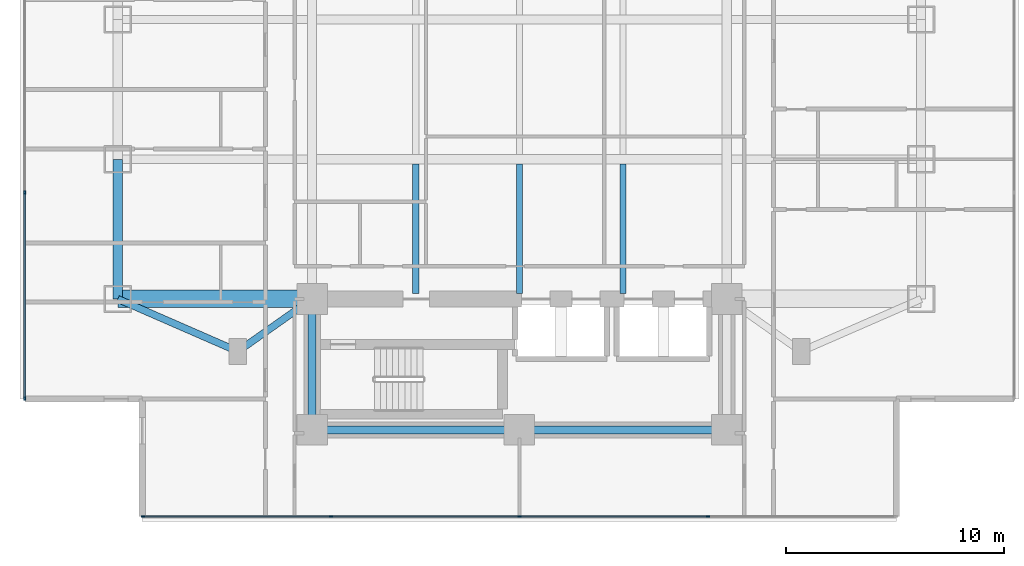
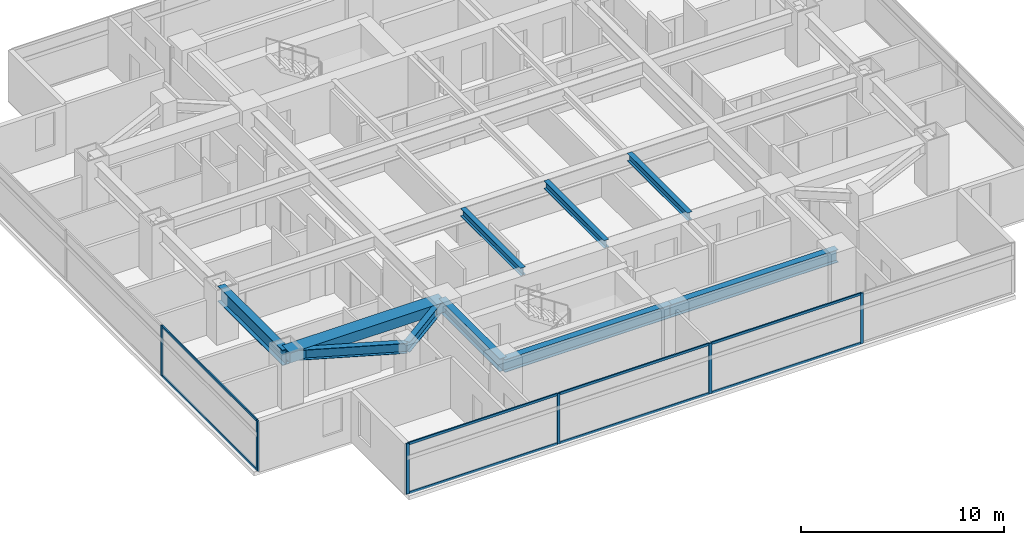
# One storey, part 2 of 27: 14 members, 10 beams, 2 elements without a shape of their own.
"""IFC4 building model written with IfcOpenShell, lengths in metres."""

from ifc_helpers import new_model, si_unit, direction, frame, origin, origin_2d, place, context, subcontext, project, spatial, rectangle, i_section, extrude, material, material_profile, profile_set, type_object, element, aggregate, save


model = new_model("IFC4")

# Units and contexts
model_context = context("Model", 3, precision=1e-05, world=origin(), true_north=direction((0.0, 1.0)))
body_context = subcontext(model_context, "Body", "Model", "MODEL_VIEW")
ifc_project = project(units=[si_unit("LENGTHUNIT", "METRE"), si_unit("AREAUNIT", "SQUARE_METRE"), si_unit("VOLUMEUNIT", "CUBIC_METRE"), si_unit("PLANEANGLEUNIT", "RADIAN"), si_unit("MASSUNIT", "GRAM", prefix="KILO")], contexts=[model_context])

# Site, building, storey
site_placement = place(None, origin())
site = spatial("IfcSite", under=ifc_project, at=site_placement, CompositionType="ELEMENT")
building_placement = place(site_placement, origin())
building = spatial("IfcBuilding", under=site, at=building_placement, Name="Mirazonda Arch Towers", CompositionType="ELEMENT")
storey_placement = place(building_placement, frame((0.0, 0.0, 42.199951171875)))
storey = spatial("IfcBuildingStorey", under=building, at=storey_placement, Name="L11", CompositionType="ELEMENT", Elevation=42.199951171875)

# Beams
ifc_material_1 = material(Name="Steel ASTM A992 Grade 50", Category="steel")
ifc_material_profile_1 = material_profile(ifc_material_1, i_section(OverallWidth=0.41796875, OverallDepth=0.927001953125, WebThickness=0.019287109375, FlangeThickness=0.031982421875, at=origin_2d()), Name="W36X231")
ifc_profile_set_1 = profile_set([ifc_material_profile_1], Name="Steel ASTM A992 Grade 50")
beam_type_1 = type_object("IfcBeamType", Name="BM-EXT-W36X231", PredefinedType="USERDEFINED", material=ifc_profile_set_1)
beam_1_placement = place(storey_placement, frame((2.10009765625, 18.39990234375, 2.596435546875), z_axis=(0.0, 1.0, 0.0), x_axis=(-1.0, 0.0, 0.0)))
element("IfcBeam", 1, at=beam_1_placement, inside=storey, type_object=beam_type_1, Name="L11 Floor Beam BM-T1-L11-NS-W-18", ObjectType="GIRDER", PredefinedType="USERDEFINED", context=body_context, shape_type="SweptSolid", body=[
    extrude(i_section(OverallWidth=0.41796875, OverallDepth=0.927001953125, WebThickness=0.019287109375, FlangeThickness=0.031982421875, at=origin_2d()), origin(), (0.0, 0.0, 1.0), 6.400146484375),
])
ifc_material_profile_2 = material_profile(ifc_material_1, i_section(OverallWidth=0.280029296875, OverallDepth=0.462890625, WebThickness=0.0107421875, FlangeThickness=0.017333984375, at=origin_2d()), Name="W18X76")
ifc_profile_set_2 = profile_set([ifc_material_profile_2], Name="Steel ASTM A992 Grade 50")
beam_type_2 = type_object("IfcBeamType", Name="BM-INT-W18X76", PredefinedType="JOIST", material=ifc_profile_set_2)
for number, where, z_axis, x_axis, name in (
    (2, (15.75, 18.639892578125, 2.82861328125), (0.0, 1.0, 0.0), (-1.0, 0.0, 0.0), "L11 Floor Beam BM-T1-L11-J-157-18"),
    (3, (20.5, 18.639892578125, 2.82861328125), (0.0, 1.0, 0.0), (-1.0, 0.0, 0.0), "L11 Floor Beam BM-T1-L11-J-205-18"),
    (4, (25.25, 18.639892578125, 2.82861328125), (0.0, 1.0, 0.0), (-1.0, 0.0, 0.0), "L11 Floor Beam BM-T1-L11-J-252-18"),
):
    element("IfcBeam", number, at=place(storey_placement, frame(where, z_axis=z_axis, x_axis=x_axis)), inside=storey, type_object=beam_type_2, Name=name, PredefinedType="JOIST", context=body_context, shape_type="SweptSolid", body=[
        extrude(i_section(OverallWidth=0.280029296875, OverallDepth=0.462890625, WebThickness=0.0107421875, FlangeThickness=0.017333984375, at=origin_2d()), origin(), (0.0, 0.0, 1.0), 5.95263671875),
    ])
ifc_material_profile_3 = material_profile(ifc_material_1, i_section(OverallWidth=0.324951171875, OverallDepth=0.615966796875, WebThickness=0.013916015625, FlangeThickness=0.021484375, at=origin_2d()), Name="W24X117")
ifc_profile_set_3 = profile_set([ifc_material_profile_3], Name="Steel ASTM A992 Grade 50")
beam_type_3 = type_object("IfcBeamType", Name="BM-INT-W24X117", PredefinedType="BEAM", material=ifc_profile_set_3)
beam_2_placement = place(storey_placement, frame((7.60009765625, 16.0, 2.751953125), z_axis=(0.816971114901, 0.576678591087, 0.0), x_axis=(-0.576678591087, 0.816971114901, 0.0)))
element("IfcBeam", 5, at=beam_2_placement, inside=storey, type_object=beam_type_3, Name="L11 Floor Beam BM-T1-L11-PL-SW1", PredefinedType="BEAM", context=body_context, shape_type="SweptSolid", body=[
    extrude(i_section(OverallWidth=0.324951171875, OverallDepth=0.615966796875, WebThickness=0.013916015625, FlangeThickness=0.021484375, at=origin_2d()), origin(), (0.0, 0.0, 1.0), 4.16162109375),
])
beam_3_placement = place(storey_placement, frame((7.60009765625, 16.0, 2.751953125), z_axis=(-0.916545343703, 0.399930785183, 0.0), x_axis=(-0.399930785183, -0.916545343703, 0.0)))
element("IfcBeam", 6, at=beam_3_placement, inside=storey, type_object=beam_type_3, Name="L11 Floor Beam BM-T1-L11-PL-SW2", PredefinedType="BEAM", context=body_context, shape_type="SweptSolid", body=[
    extrude(i_section(OverallWidth=0.324951171875, OverallDepth=0.615966796875, WebThickness=0.013916015625, FlangeThickness=0.021484375, at=origin_2d()), origin(), (0.0, 0.0, 1.0), 6.000732421875),
])
ifc_material_profile_4 = material_profile(ifc_material_1, i_section(OverallWidth=0.381103515625, OverallDepth=0.77294921875, WebThickness=0.0166015625, FlangeThickness=0.027099609375, at=origin_2d()), Name="W30X173")
ifc_profile_set_4 = profile_set([ifc_material_profile_4], Name="Steel ASTM A992 Grade 50")
beam_type_4 = type_object("IfcBeamType", Name="BM-INT-W30X173", PredefinedType="USERDEFINED", material=ifc_profile_set_4)
for number, where, z_axis, x_axis, name in (
    (7, (11.0, 12.39990234375, 2.673583984375), (1.0, 0.0, 0.0), (0.0, 1.0, 0.0), "L11 Floor Beam BM-T1-L11-CS1"),
    (8, (20.5, 12.39990234375, 2.673583984375), (1.0, 0.0, 0.0), (0.0, 1.0, 0.0), "L11 Floor Beam BM-T1-L11-CS2"),
):
    element("IfcBeam", number, at=place(storey_placement, frame(where, z_axis=z_axis, x_axis=x_axis)), inside=storey, type_object=beam_type_4, Name=name, ObjectType="GIRDER", PredefinedType="USERDEFINED", context=body_context, shape_type="SweptSolid", body=[
        extrude(i_section(OverallWidth=0.381103515625, OverallDepth=0.77294921875, WebThickness=0.0166015625, FlangeThickness=0.027099609375, at=origin_2d()), origin(), (0.0, 0.0, 1.0), 9.5),
    ])
beam_4_placement = place(storey_placement, frame((11.0, 12.39990234375, 2.673583984375), z_axis=(0.0, 1.0, 0.0), x_axis=(-1.0, 0.0, 0.0)))
element("IfcBeam", 9, at=beam_4_placement, inside=storey, type_object=beam_type_4, Name="L11 Floor Beam BM-T1-L11-CSW", ObjectType="GIRDER", PredefinedType="USERDEFINED", context=body_context, shape_type="SweptSolid", body=[
    extrude(i_section(OverallWidth=0.381103515625, OverallDepth=0.77294921875, WebThickness=0.0166015625, FlangeThickness=0.027099609375, at=origin_2d()), origin(), (0.0, 0.0, 1.0), 6.0),
])
ifc_material_2 = material(Name="Concrete C60/75", Category="concrete")
ifc_material_profile_5 = material_profile(ifc_material_2, rectangle(XDim=0.800048828125, YDim=0.60009765625, at=origin_2d()), Name="RCCB800x600")
ifc_profile_set_5 = profile_set([ifc_material_profile_5], Name="Concrete C60/75")
beam_type_5 = type_object("IfcBeamType", Name="CB-INT-RCCB800x600", PredefinedType="SPANDREL", material=ifc_profile_set_5)
beam_5_placement = place(storey_placement, frame((2.10009765625, 18.39990234375, 2.760009765625), z_axis=(1.0, 0.0, 0.0), x_axis=(0.0, 1.0, 0.0)))
element("IfcBeam", 10, at=beam_5_placement, inside=storey, type_object=beam_type_5, Name="L11 Floor Beam CBC-T1-L11-SW", PredefinedType="SPANDREL", context=body_context, shape_type="SweptSolid", body=[
    extrude(rectangle(XDim=0.800048828125, YDim=0.60009765625, at=origin_2d()), origin(), (0.0, 0.0, 1.0), 8.89990234375),
])

# Curtain wall, members
ifc_material_3 = material(Name="Anodised Aluminium and Low-E Glass", Category="aluminium")
curtain_wall_type = type_object("IfcCurtainWallType", Name="CW-HTL-UNIT", PredefinedType="NOTDEFINED", material=ifc_material_3)
curtain_wall_1_placement = place(storey_placement, origin())
curtain_wall_1 = element("IfcCurtainWall", 11, at=curtain_wall_1_placement, inside=storey, type_object=curtain_wall_type, Name="L11 T1 S Facade CW-L11-T1-S", PredefinedType="NOTDEFINED")
ifc_material_4 = material(Name="Anodised Aluminium Alloy", Category="aluminium")
ifc_material_profile_6 = material_profile(ifc_material_4, rectangle(XDim=0.074951171875, YDim=0.1650390625, at=origin_2d()), Name="ALU-MULL-75x165")
ifc_profile_set_6 = profile_set([ifc_material_profile_6], Name="Anodised Aluminium Alloy")
member_type_1 = type_object("IfcMemberType", Name="MULL-CW-HTL-UNIT", PredefinedType="MULLION", material=ifc_profile_set_6)
member_1_placement = place(storey_placement, frame((29.139892578125, 8.431884765625, 0.0), z_axis=(0.0, 0.0, 1.0), x_axis=(0.0, -1.0, 0.0)))
member_1 = element("IfcMember", 12, at=member_1_placement, type_object=member_type_1, Name="CW-112 mullion 2", PredefinedType="MULLION", context=body_context, shape_type="SweptSolid", body=[
    extrude(rectangle(XDim=0.074951171875, YDim=0.1650390625, at=origin_2d()), origin(), (0.0, 0.0, 1.0), 3.0400390625),
])
member_2_placement = place(storey_placement, frame((20.5, 8.431884765625, 0.0), z_axis=(0.0, 0.0, 1.0), x_axis=(0.0, -1.0, 0.0)))
member_2 = element("IfcMember", 13, at=member_2_placement, type_object=member_type_1, Name="CW-112 mullion 3", PredefinedType="MULLION", context=body_context, shape_type="SweptSolid", body=[
    extrude(rectangle(XDim=0.074951171875, YDim=0.1650390625, at=origin_2d()), origin(), (0.0, 0.0, 1.0), 3.0400390625),
])
member_3_placement = place(storey_placement, frame((11.860107421875, 8.431884765625, 0.0), z_axis=(0.0, 0.0, 1.0), x_axis=(0.0, -1.0, 0.0)))
member_3 = element("IfcMember", 14, at=member_3_placement, type_object=member_type_1, Name="CW-112 mullion 4", PredefinedType="MULLION", context=body_context, shape_type="SweptSolid", body=[
    extrude(rectangle(XDim=0.074951171875, YDim=0.1650390625, at=origin_2d()), origin(), (0.0, 0.0, 1.0), 3.0400390625),
])
member_4_placement = place(storey_placement, frame((3.257568359375, 8.431884765625, 0.0), z_axis=(0.0, 0.0, 1.0), x_axis=(0.0, -1.0, 0.0)))
member_4 = element("IfcMember", 15, at=member_4_placement, type_object=member_type_1, Name="CW-112 mullion 5", PredefinedType="MULLION", context=body_context, shape_type="SweptSolid", body=[
    extrude(rectangle(XDim=0.074951171875, YDim=0.1650390625, at=origin_2d()), origin(), (0.0, 0.0, 1.0), 3.0400390625),
])

curtain_wall_2_placement = place(storey_placement, origin())
curtain_wall_2 = element("IfcCurtainWall", 16, at=curtain_wall_2_placement, inside=storey, type_object=curtain_wall_type, Name="L11 T1 W Facade CW-L11-T1-W", PredefinedType="NOTDEFINED")
member_5_placement = place(storey_placement, frame((-2.159912109375, 23.270751953125, 0.0), z_axis=(0.0, 0.0, 1.0), x_axis=(1.0, 0.0, 0.0)))
member_5 = element("IfcMember", 17, at=member_5_placement, type_object=member_type_1, Name="CW-112 mullion 3", PredefinedType="MULLION", context=body_context, shape_type="SweptSolid", body=[
    extrude(rectangle(XDim=0.074951171875, YDim=0.1650390625, at=origin_2d()), origin(), (0.0, 0.0, 1.0), 3.0400390625),
])
member_6_placement = place(storey_placement, frame((-2.159912109375, 13.849609375, 0.0), z_axis=(0.0, 0.0, 1.0), x_axis=(1.0, 0.0, 0.0)))
member_6 = element("IfcMember", 18, at=member_6_placement, type_object=member_type_1, Name="CW-112 mullion 4", PredefinedType="MULLION", context=body_context, shape_type="SweptSolid", body=[
    extrude(rectangle(XDim=0.074951171875, YDim=0.1650390625, at=origin_2d()), origin(), (0.0, 0.0, 1.0), 3.0400390625),
])

# Member
ifc_material_profile_7 = material_profile(ifc_material_4, rectangle(XDim=0.074951171875, YDim=0.14501953125, at=origin_2d()), Name="ALU-TRAN-75x145")
ifc_profile_set_7 = profile_set([ifc_material_profile_7], Name="Anodised Aluminium Alloy")
member_type_2 = type_object("IfcMemberType", Name="TRAN-CW-HTL-UNIT", PredefinedType="USERDEFINED", material=ifc_profile_set_7)
member_7_placement = place(storey_placement, frame((29.1025390625, 8.431884765625, 0.03759765625), z_axis=(-1.0, 0.0, 0.0), x_axis=(0.0, -1.0, 0.0)))
member_7 = element("IfcMember", 19, at=member_7_placement, type_object=member_type_2, Name="CW-112 transom 2.1", ObjectType="TRANSOM", PredefinedType="USERDEFINED", context=body_context, shape_type="SweptSolid", body=[
    extrude(rectangle(XDim=0.074951171875, YDim=0.14501953125, at=origin_2d()), origin(), (0.0, 0.0, 1.0), 8.56494140625),
])

member_8_placement = place(storey_placement, frame((29.1025390625, 8.431884765625, 3.00244140625), z_axis=(-1.0, 0.0, 0.0), x_axis=(0.0, -1.0, 0.0)))
member_8 = element("IfcMember", 20, at=member_8_placement, type_object=member_type_2, Name="CW-112 transom 2.2", ObjectType="TRANSOM", PredefinedType="USERDEFINED", context=body_context, shape_type="SweptSolid", body=[
    extrude(rectangle(XDim=0.074951171875, YDim=0.14501953125, at=origin_2d()), origin(), (0.0, 0.0, 1.0), 8.56494140625),
])

member_9_placement = place(storey_placement, frame((20.46240234375, 8.431884765625, 0.03759765625), z_axis=(-1.0, 0.0, 0.0), x_axis=(0.0, -1.0, 0.0)))
member_9 = element("IfcMember", 21, at=member_9_placement, type_object=member_type_2, Name="CW-112 transom 3.1", ObjectType="TRANSOM", PredefinedType="USERDEFINED", context=body_context, shape_type="SweptSolid", body=[
    extrude(rectangle(XDim=0.074951171875, YDim=0.14501953125, at=origin_2d()), origin(), (0.0, 0.0, 1.0), 8.56494140625),
])

member_10_placement = place(storey_placement, frame((20.46240234375, 8.431884765625, 3.00244140625), z_axis=(-1.0, 0.0, 0.0), x_axis=(0.0, -1.0, 0.0)))
member_10 = element("IfcMember", 22, at=member_10_placement, type_object=member_type_2, Name="CW-112 transom 3.2", ObjectType="TRANSOM", PredefinedType="USERDEFINED", context=body_context, shape_type="SweptSolid", body=[
    extrude(rectangle(XDim=0.074951171875, YDim=0.14501953125, at=origin_2d()), origin(), (0.0, 0.0, 1.0), 8.56494140625),
])

member_11_placement = place(storey_placement, frame((11.822509765625, 8.431884765625, 0.03759765625), z_axis=(-1.0, 0.0, 0.0), x_axis=(0.0, -1.0, 0.0)))
member_11 = element("IfcMember", 23, at=member_11_placement, type_object=member_type_2, Name="CW-112 transom 4.1", ObjectType="TRANSOM", PredefinedType="USERDEFINED", context=body_context, shape_type="SweptSolid", body=[
    extrude(rectangle(XDim=0.074951171875, YDim=0.14501953125, at=origin_2d()), origin(), (0.0, 0.0, 1.0), 8.527587890625),
])

member_12_placement = place(storey_placement, frame((11.822509765625, 8.431884765625, 3.00244140625), z_axis=(-1.0, 0.0, 0.0), x_axis=(0.0, -1.0, 0.0)))
member_12 = element("IfcMember", 24, at=member_12_placement, type_object=member_type_2, Name="CW-112 transom 4.2", ObjectType="TRANSOM", PredefinedType="USERDEFINED", context=body_context, shape_type="SweptSolid", body=[
    extrude(rectangle(XDim=0.074951171875, YDim=0.14501953125, at=origin_2d()), origin(), (0.0, 0.0, 1.0), 8.527587890625),
])

aggregate(curtain_wall_1, [member_1, member_2, member_3, member_4, member_7, member_8, member_9, member_10, member_11, member_12])

member_13_placement = place(storey_placement, frame((-2.159912109375, 23.233154296875, 0.03759765625), z_axis=(0.0, -1.0, 0.0), x_axis=(1.0, 0.0, 0.0)))
member_13 = element("IfcMember", 25, at=member_13_placement, type_object=member_type_2, Name="CW-112 transom 3.1", ObjectType="TRANSOM", PredefinedType="USERDEFINED", context=body_context, shape_type="SweptSolid", body=[
    extrude(rectangle(XDim=0.074951171875, YDim=0.14501953125, at=origin_2d()), origin(), (0.0, 0.0, 1.0), 9.34619140625),
])

member_14_placement = place(storey_placement, frame((-2.159912109375, 23.233154296875, 3.00244140625), z_axis=(0.0, -1.0, 0.0), x_axis=(1.0, 0.0, 0.0)))
member_14 = element("IfcMember", 26, at=member_14_placement, type_object=member_type_2, Name="CW-112 transom 3.2", ObjectType="TRANSOM", PredefinedType="USERDEFINED", context=body_context, shape_type="SweptSolid", body=[
    extrude(rectangle(XDim=0.074951171875, YDim=0.14501953125, at=origin_2d()), origin(), (0.0, 0.0, 1.0), 9.34619140625),
])

aggregate(curtain_wall_2, [member_5, member_6, member_13, member_14])

save(model, "model.ifc")
